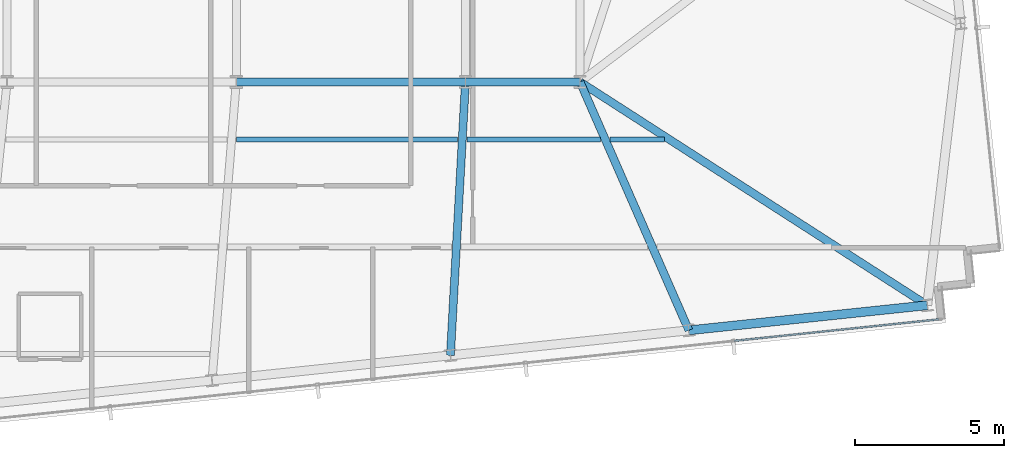
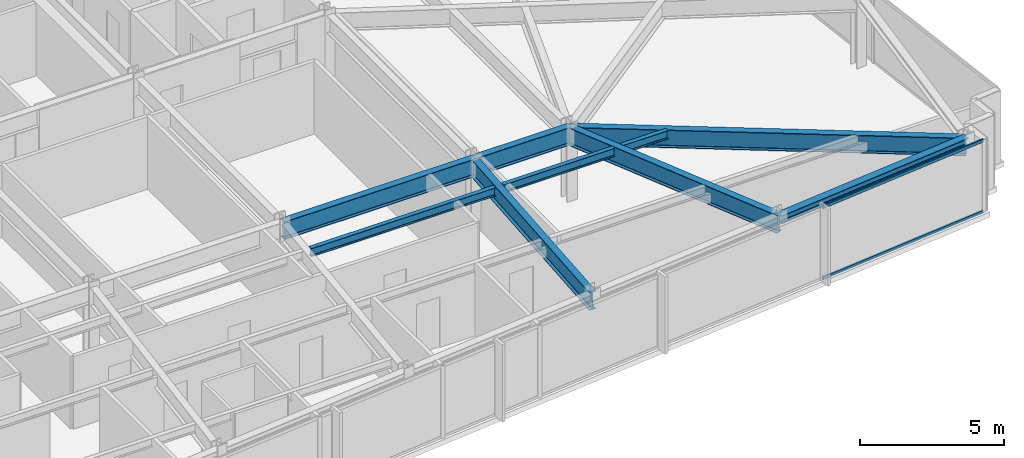
# One storey, part 16 of 32: 9 beams, 2 members, 1 element without a shape of its own.
"""IFC4 building model written with IfcOpenShell, lengths in metres."""

import ifcopenshell
import ifcopenshell.guid

model = None  # the IFC model being written
_history = None  # IfcOwnerHistory: only IFC2X3 demands one
_inside = {}  # id of a spatial element -> (the spatial element, [elements in it])
_under = {}  # id of a project, library or spatial element -> (it, [spatial elements below it])
_declared = {}  # id of a project -> (the project, [libraries it declares])
_typed = {}  # id of a type object -> (the type object, [elements of that type])
_made_of = {}  # id of a material, layer set ... -> (it, [elements and type objects made of it])


def new_model(schema):
    """Start an empty IFC model of exactly this schema.

    Asked for "IFC4X3", IfcOpenShell would pick the latest addendum, in which some entities
    have other attributes; the version numbers below select the first issue.
    IFC2X3 requires an IfcOwnerHistory on every rooted entity: one is made here for all.
    """
    global model, _history
    if schema == "IFC4X3":
        model = ifcopenshell.file(schema_version=(4, 3, 0, 0))
    else:
        model = ifcopenshell.file(schema=schema)
    _inside.clear()
    _under.clear()
    _declared.clear()
    _typed.clear()
    _made_of.clear()
    _history = None
    if model.schema == "IFC2X3":
        org = make("IfcOrganization", Name="unknown")
        user = make(
            "IfcPersonAndOrganization",
            ThePerson=make("IfcPerson", FamilyName="unknown"),
            TheOrganization=org,
        )
        app = make(
            "IfcApplication",
            ApplicationDeveloper=org,
            Version="unknown",
            ApplicationFullName="unknown",
            ApplicationIdentifier="unknown",
        )
        _history = make(
            "IfcOwnerHistory",
            OwningUser=user,
            OwningApplication=app,
            ChangeAction="ADDED",
            CreationDate=0,
        )
    return model


def make(cls, **values):
    """One entity of the class cls with the attributes given. An attribute that is None is left unset."""
    return model.create_entity(
        cls, **{name: value for name, value in values.items() if value is not None}
    )


def rooted(cls, **values):
    """An entity with a GlobalId (a new one), such as an element, a storey or a relation."""
    return make(cls, GlobalId=ifcopenshell.guid.new(), OwnerHistory=_history, **values)


def si_unit(unit_type, name, prefix=None):
    """IfcSIUnit, for example si_unit("LENGTHUNIT", "METRE", prefix="MILLI")."""
    return make("IfcSIUnit", UnitType=unit_type, Prefix=prefix, Name=name)


def assignment(units):
    """IfcUnitAssignment: the units of a project."""
    return None if units is None else make("IfcUnitAssignment", Units=units)


def point(xyz):
    """IfcCartesianPoint."""
    return None if xyz is None else make("IfcCartesianPoint", Coordinates=xyz)


def direction(xyz):
    """IfcDirection."""
    return None if xyz is None else make("IfcDirection", DirectionRatios=xyz)


def frame(location, z_axis=None, x_axis=None):
    """IfcAxis2Placement3D, a coordinate frame: its origin and axes. An axis left out is left unset."""
    return make(
        "IfcAxis2Placement3D",
        Location=point(location),
        Axis=direction(z_axis),
        RefDirection=direction(x_axis),
    )


def frame_2d(location, x_axis=None):
    """IfcAxis2Placement2D, a coordinate frame in the plane: its origin and x axis."""
    return make(
        "IfcAxis2Placement2D", Location=point(location), RefDirection=direction(x_axis)
    )


def origin():
    """The frame at (0, 0, 0) with its axes left unset."""
    return frame((0.0, 0.0, 0.0))


def origin_2d():
    """The frame at (0, 0) in the plane with its x axis left unset."""
    return frame_2d((0.0, 0.0))


def place(relative_to, where):
    """IfcLocalPlacement: puts the frame where relative to a parent placement (None: the world)."""
    return make(
        "IfcLocalPlacement", PlacementRelTo=relative_to, RelativePlacement=where
    )


def context(
    kind, dimensions, precision=None, world=None, true_north=None, identifier=None
):
    """IfcGeometricRepresentationContext, for example the 3D "Model" context."""
    return make(
        "IfcGeometricRepresentationContext",
        ContextIdentifier=identifier,
        ContextType=kind,
        CoordinateSpaceDimension=dimensions,
        Precision=precision,
        WorldCoordinateSystem=world,
        TrueNorth=true_north,
    )


def subcontext(parent, identifier, kind, view, scale=None):
    """IfcGeometricRepresentationSubContext, for example "Body" below "Model"."""
    return make(
        "IfcGeometricRepresentationSubContext",
        ContextIdentifier=identifier,
        ContextType=kind,
        ParentContext=parent,
        TargetScale=scale,
        TargetView=view,
    )


def project(units=None, contexts=None):
    """IfcProject with its units and contexts."""
    return rooted(
        "IfcProject",
        Name="project",
        RepresentationContexts=contexts,
        UnitsInContext=assignment(units),
    )


def spatial(cls, under=None, at=None, **own):
    """A site, building, storey or space (cls), placed at a placement, below another one or the project."""
    s = rooted(cls, ObjectPlacement=at, **own)
    if under is not None:
        _under.setdefault(under.id(), (under, []))[1].append(s)
    return s


def profile(cls, at=None, kind="AREA", **sizes):
    """A parametric profile (cls). Its sizes go by their IFC names, for example OverallWidth=200.0."""
    return make(cls, ProfileType=kind, Position=at, **sizes)


def hollow_rectangle(**sizes):
    """IfcRectangleHollowProfileDef."""
    return profile("IfcRectangleHollowProfileDef", **sizes)


def i_section(**sizes):
    """IfcIShapeProfileDef."""
    return profile("IfcIShapeProfileDef", **sizes)


def extrude(swept, where, along, depth):
    """IfcExtrudedAreaSolid: the profile swept, set in the frame where, extruded along a direction by depth."""
    return make(
        "IfcExtrudedAreaSolid",
        SweptArea=swept,
        Position=where,
        ExtrudedDirection=direction(along),
        Depth=depth,
    )


def shape(context_of_items, identifier, shape_type, items):
    """IfcShapeRepresentation: the items that make up one representation, for example the "Body"."""
    return make(
        "IfcShapeRepresentation",
        ContextOfItems=context_of_items,
        RepresentationIdentifier=identifier,
        RepresentationType=shape_type,
        Items=items,
    )


def material(Name=None, Category=None):
    """IfcMaterial."""
    return make("IfcMaterial", Name=Name, Category=Category)


def material_profile(
    of_material, cross_section, Name=None, Category=None, Priority=None
):
    """IfcMaterialProfile: a cross section and its material."""
    return make(
        "IfcMaterialProfile",
        Name=Name,
        Material=of_material,
        Profile=cross_section,
        Priority=Priority,
        Category=Category,
    )


def profile_set(profiles, Name=None, composite=None):
    """IfcMaterialProfileSet."""
    return make(
        "IfcMaterialProfileSet",
        Name=Name,
        MaterialProfiles=profiles,
        CompositeProfile=composite,
    )


def made_of(thing, what):
    """Note that an element or type object is made of a material, layer set ...; save() writes the relation."""
    if what is not None:
        _made_of.setdefault(what.id(), (what, []))[1].append(thing)
    return thing


def type_object(cls, material=None, **own):
    """A type object (cls), such as IfcWallType, which elements share."""
    return made_of(rooted(cls, **own), material)


def element(
    cls,
    number,
    at=None,
    inside=None,
    cuts=None,
    type_object=None,
    material=None,
    context=None,
    identifier="Body",
    shape_type=None,
    held_by="IfcProductDefinitionShape",
    body=None,
    shapes=None,
    **own,
):
    """One element of the class cls, such as IfcWall. Its Tag is "e" and its number.

    at: its placement. inside: the storey or other place that contains it. cuts: it is an
    opening in that element (IfcRelVoidsElement). A single representation is given by context,
    identifier, shape_type and body (its items); several are given by shapes. held_by: the class
    of the entity that holds the representations. save() writes the other relations.
    """
    e = rooted(cls, Tag="e%d" % number, ObjectPlacement=at, **own)
    if body is not None:
        shapes = [shape(context, identifier, shape_type, body)]
    if shapes is not None:
        e.Representation = make(held_by, Representations=shapes)
    if inside is not None:
        _inside.setdefault(inside.id(), (inside, []))[1].append(e)
    if cuts is not None:
        rooted(
            "IfcRelVoidsElement", RelatingBuildingElement=cuts, RelatedOpeningElement=e
        )
    if type_object is not None:
        _typed.setdefault(type_object.id(), (type_object, []))[1].append(e)
    return made_of(e, material)


def aggregate(whole, parts):
    """IfcRelAggregates: a whole, such as a stair, and the parts it consists of."""
    return rooted("IfcRelAggregates", RelatingObject=whole, RelatedObjects=parts)


def save(model, path):
    """Write the relations noted so far, then the file.

    IfcRelAggregates (storeys below a building ...), IfcRelContainedInSpatialStructure (elements
    in a storey), IfcRelDefinesByType, IfcRelAssociatesMaterial and IfcRelDeclares: one each for
    every whole, place, type object, material and project.
    """
    for whole, parts in _under.values():
        aggregate(whole, parts)
    for where, things in _inside.values():
        rooted(
            "IfcRelContainedInSpatialStructure",
            RelatedElements=things,
            RelatingStructure=where,
        )
    for kind, things in _typed.values():
        rooted("IfcRelDefinesByType", RelatedObjects=things, RelatingType=kind)
    for what, things in _made_of.values():
        rooted("IfcRelAssociatesMaterial", RelatedObjects=things, RelatingMaterial=what)
    for by, libraries in _declared.values():
        rooted("IfcRelDeclares", RelatingContext=by, RelatedDefinitions=libraries)
    model.write(path)


model = new_model("IFC4")

# Units and contexts
model_context = context("Model", 3, precision=1e-05, world=origin(), true_north=direction((0.0, 1.0)))
body_context = subcontext(model_context, "Body", "Model", "MODEL_VIEW")
ifc_project = project(units=[si_unit("LENGTHUNIT", "METRE"), si_unit("AREAUNIT", "SQUARE_METRE"), si_unit("VOLUMEUNIT", "CUBIC_METRE"), si_unit("PLANEANGLEUNIT", "RADIAN"), si_unit("MASSUNIT", "GRAM", prefix="KILO")], contexts=[model_context])

# Site, building, storey
site_placement = place(None, origin())
site = spatial("IfcSite", under=ifc_project, at=site_placement, CompositionType="ELEMENT")
building_placement = place(site_placement, origin())
building = spatial("IfcBuilding", under=site, at=building_placement, Name="Yelkora Congress Tower", CompositionType="ELEMENT")
storey_placement = place(building_placement, frame((0.0, 0.0, 214.39990234375)))
storey = spatial("IfcBuildingStorey", under=building, at=storey_placement, Name="L59", CompositionType="ELEMENT", Elevation=214.39990234375)

# Beams
ifc_material_1 = material(Name="Steel S355J2", Category="steel")
ifc_material_profile_1 = material_profile(ifc_material_1, i_section(OverallWidth=0.26708984375, OverallDepth=0.761962890625, WebThickness=0.014404296875, FlangeThickness=0.021484375, FilletRadius=0.01708984375, at=origin_2d()), Name="IPE 750x173")
ifc_profile_set_1 = profile_set([ifc_material_profile_1], Name="Steel S355J2")
beam_type_1 = type_object("IfcBeamType", Name="BM-GIRD-IPE750", PredefinedType="BEAM", material=ifc_profile_set_1)
beam_1_placement = place(storey_placement, frame((46.080078125, 25.199951171875, 2.69921875), z_axis=(1.0, 0.0, 0.0), x_axis=(0.0, 1.0, 0.0)))
element("IfcBeam", 1, at=beam_1_placement, inside=storey, type_object=beam_type_1, Name="L59 Spine Grid D Girder 5", PredefinedType="BEAM", context=body_context, shape_type="SweptSolid", body=[
    extrude(i_section(OverallWidth=0.26708984375, OverallDepth=0.761962890625, WebThickness=0.014404296875, FlangeThickness=0.021484375, FilletRadius=0.01708984375, at=origin_2d()), origin(), (0.0, 0.0, 1.0), 7.679931640625),
])
beam_2_placement = place(storey_placement, frame((53.760009765625, 25.199951171875, 2.69921875), z_axis=(1.0, 0.0, 0.0), x_axis=(0.0, 1.0, 0.0)))
element("IfcBeam", 2, at=beam_2_placement, inside=storey, type_object=beam_type_1, Name="L59 Spine Grid D Girder 6", PredefinedType="BEAM", context=body_context, shape_type="SweptSolid", body=[
    extrude(i_section(OverallWidth=0.26708984375, OverallDepth=0.761962890625, WebThickness=0.014404296875, FlangeThickness=0.021484375, FilletRadius=0.01708984375, at=origin_2d()), origin(), (0.0, 0.0, 1.0), 3.840087890625),
])
beam_3_placement = place(storey_placement, frame((53.25634765625, 16.037353515625, 2.69921875), z_axis=(0.054886497042, 0.998492600094, 0.0), x_axis=(-0.998492600094, 0.054886497042, 0.0)))
element("IfcBeam", 3, at=beam_3_placement, inside=storey, type_object=beam_type_1, Name="L59 Primary Frame Girder S05", PredefinedType="BEAM", context=body_context, shape_type="SweptSolid", body=[
    extrude(i_section(OverallWidth=0.26708984375, OverallDepth=0.761962890625, WebThickness=0.014404296875, FlangeThickness=0.021484375, FilletRadius=0.01708984375, at=origin_2d()), origin(), (0.0, 0.0, 1.0), 9.176513671875),
])
beam_4_placement = place(storey_placement, frame((61.24560546875, 16.877197265625, 2.69921875), z_axis=(-0.401216289608, 0.915983345347, 0.0), x_axis=(-0.915983345347, -0.401216289608, 0.0)))
element("IfcBeam", 4, at=beam_4_placement, inside=storey, type_object=beam_type_1, Name="L59 Primary Frame Girder S06", PredefinedType="BEAM", context=body_context, shape_type="SweptSolid", body=[
    extrude(i_section(OverallWidth=0.26708984375, OverallDepth=0.761962890625, WebThickness=0.014404296875, FlangeThickness=0.021484375, FilletRadius=0.01708984375, at=origin_2d()), origin(), (0.0, 0.0, 1.0), 9.086181640625),
])
beam_5_placement = place(storey_placement, frame((69.235107421875, 17.716796875, 2.69921875), z_axis=(-0.841063201017, 0.54093686498, 0.0), x_axis=(-0.54093686498, -0.841063201017, 0.0)))
element("IfcBeam", 5, at=beam_5_placement, inside=storey, type_object=beam_type_1, Name="L59 Primary Frame Girder S07", PredefinedType="BEAM", context=body_context, shape_type="SweptSolid", body=[
    extrude(i_section(OverallWidth=0.26708984375, OverallDepth=0.761962890625, WebThickness=0.014404296875, FlangeThickness=0.021484375, FilletRadius=0.01708984375, at=origin_2d()), origin(), (0.0, 0.0, 1.0), 13.833740234375),
])
ifc_material_profile_2 = material_profile(ifc_material_1, i_section(OverallWidth=0.169921875, OverallDepth=0.360107421875, WebThickness=0.008056640625, FlangeThickness=0.0126953125, FilletRadius=0.01806640625, at=origin_2d()), Name="IPE 360")
ifc_profile_set_2 = profile_set([ifc_material_profile_2], Name="Steel S355J2")
beam_type_2 = type_object("IfcBeamType", Name="BM-JOIST-IPE360", PredefinedType="JOIST", material=ifc_profile_set_2)
beam_6_placement = place(storey_placement, frame((46.083740234375, 23.278564453125, 2.900146484375), z_axis=(1.0, 0.0, 0.0), x_axis=(0.0, 1.0, 0.0)))
element("IfcBeam", 6, at=beam_6_placement, inside=storey, type_object=beam_type_2, Name="L59 Composite Floor Joist 12", PredefinedType="JOIST", context=body_context, shape_type="SweptSolid", body=[
    extrude(i_section(OverallWidth=0.169921875, OverallDepth=0.360107421875, WebThickness=0.008056640625, FlangeThickness=0.0126953125, FilletRadius=0.01806640625, at=origin_2d()), origin(), (0.0, 0.0, 1.0), 7.41064453125),
])
beam_7_placement = place(storey_placement, frame((53.814453125, 23.278564453125, 2.900146484375), z_axis=(1.0, 0.0, 0.0), x_axis=(0.0, 1.0, 0.0)))
element("IfcBeam", 7, at=beam_7_placement, inside=storey, type_object=beam_type_2, Name="L59 Composite Floor Joist 13", PredefinedType="JOIST", context=body_context, shape_type="SweptSolid", body=[
    extrude(i_section(OverallWidth=0.169921875, OverallDepth=0.360107421875, WebThickness=0.008056640625, FlangeThickness=0.0126953125, FilletRadius=0.01806640625, at=origin_2d()), origin(), (0.0, 0.0, 1.0), 4.46728515625),
])
beam_8_placement = place(storey_placement, frame((58.601806640625, 23.278564453125, 2.900146484375), z_axis=(1.0, 0.0, 0.0), x_axis=(0.0, 1.0, 0.0)))
element("IfcBeam", 8, at=beam_8_placement, inside=storey, type_object=beam_type_2, Name="L59 Composite Floor Joist 14", PredefinedType="JOIST", context=body_context, shape_type="SweptSolid", body=[
    extrude(i_section(OverallWidth=0.169921875, OverallDepth=0.360107421875, WebThickness=0.008056640625, FlangeThickness=0.0126953125, FilletRadius=0.01806640625, at=origin_2d()), origin(), (0.0, 0.0, 1.0), 1.82568359375),
])
ifc_material_profile_3 = material_profile(ifc_material_1, i_section(OverallWidth=0.300048828125, OverallDepth=0.340087890625, WebThickness=0.011962890625, FlangeThickness=0.021484375, FilletRadius=0.027099609375, at=origin_2d()), Name="HEB 340")
ifc_profile_set_3 = profile_set([ifc_material_profile_3], Name="Steel S355J2")
beam_type_3 = type_object("IfcBeamType", Name="BM-SPAN-HEB340", PredefinedType="SPANDREL", material=ifc_profile_set_3)
beam_9_placement = place(storey_placement, frame((61.24560546875, 16.877197265625, 2.91015625), z_axis=(0.99452358891, 0.104512349038, 0.0), x_axis=(-0.104512349038, 0.99452358891, 0.0)))
element("IfcBeam", 9, at=beam_9_placement, inside=storey, type_object=beam_type_3, Name="L59 Perimeter Beam 8", PredefinedType="SPANDREL", context=body_context, shape_type="SweptSolid", body=[
    extrude(i_section(OverallWidth=0.300048828125, OverallDepth=0.340087890625, WebThickness=0.011962890625, FlangeThickness=0.021484375, FilletRadius=0.027099609375, at=origin_2d()), origin(), (0.0, 0.0, 1.0), 8.033447265625),
])

# Curtain wall, members
ifc_material_2 = material(Name="Anodised aluminium and insulated glass", Category="aluminium")
curtain_wall_type = type_object("IfcCurtainWallType", Name="CW-SYS-B4", PredefinedType="NOTDEFINED", material=ifc_material_2)
curtain_wall_placement = place(storey_placement, origin())
curtain_wall = element("IfcCurtainWall", 10, at=curtain_wall_placement, inside=storey, type_object=curtain_wall_type, Name="L59 Unitised Curtain Wall 20", PredefinedType="NOTDEFINED")
ifc_material_3 = material(Name="Anodised aluminium 6063-T6", Category="aluminium")
ifc_material_profile_4 = material_profile(ifc_material_3, hollow_rectangle(XDim=0.06005859375, YDim=0.1298828125, WallThickness=0.00390625, at=origin_2d()), Name="ALU 60x130x4")
ifc_profile_set_4 = profile_set([ifc_material_profile_4], Name="Anodised aluminium 6063-T6")
member_type = type_object("IfcMemberType", Name="MEM-TR-B4", PredefinedType="USERDEFINED", material=ifc_profile_set_4)
member_1_placement = place(storey_placement, frame((69.63134765625, 17.24560546875, 0.030029296875), z_axis=(-0.994523648539, -0.104511781616, 0.0), x_axis=(0.104511781616, -0.994523648539, 0.0)))
member_1 = element("IfcMember", 11, at=member_1_placement, type_object=member_type, Name="CW-B4 transom 1.1", ObjectType="TRANSOM", PredefinedType="USERDEFINED", context=body_context, shape_type="SweptSolid", body=[
    extrude(hollow_rectangle(XDim=0.06005859375, YDim=0.1298828125, WallThickness=0.00390625, at=origin_2d()), origin(), (0.0, 0.0, 1.0), 6.9052734375),
])
member_2_placement = place(storey_placement, frame((69.63134765625, 17.24560546875, 3.050048828125), z_axis=(-0.994523648539, -0.104511781616, 0.0), x_axis=(0.104511781616, -0.994523648539, 0.0)))
member_2 = element("IfcMember", 12, at=member_2_placement, type_object=member_type, Name="CW-B4 transom 1.2", ObjectType="TRANSOM", PredefinedType="USERDEFINED", context=body_context, shape_type="SweptSolid", body=[
    extrude(hollow_rectangle(XDim=0.06005859375, YDim=0.1298828125, WallThickness=0.00390625, at=origin_2d()), origin(), (0.0, 0.0, 1.0), 6.9052734375),
])
aggregate(curtain_wall, [member_1, member_2])

save(model, "model.ifc")
